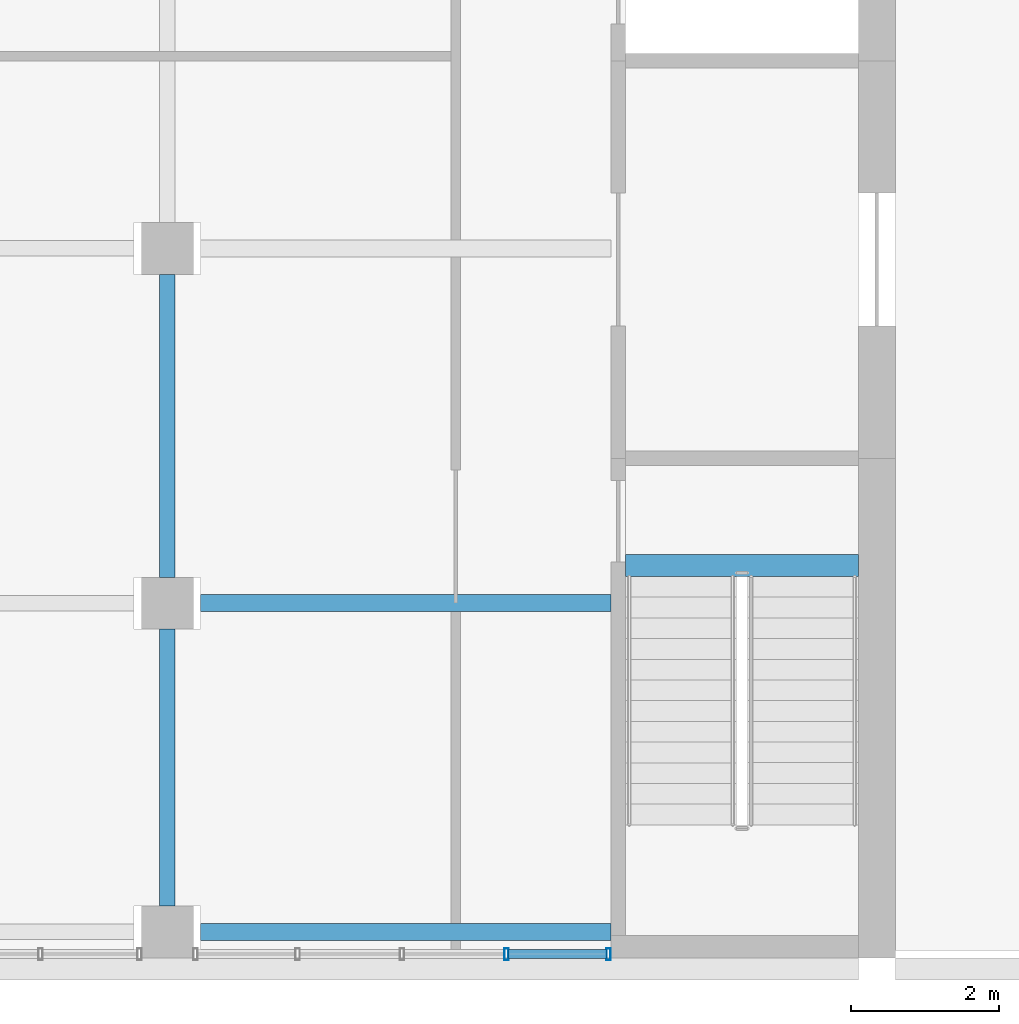
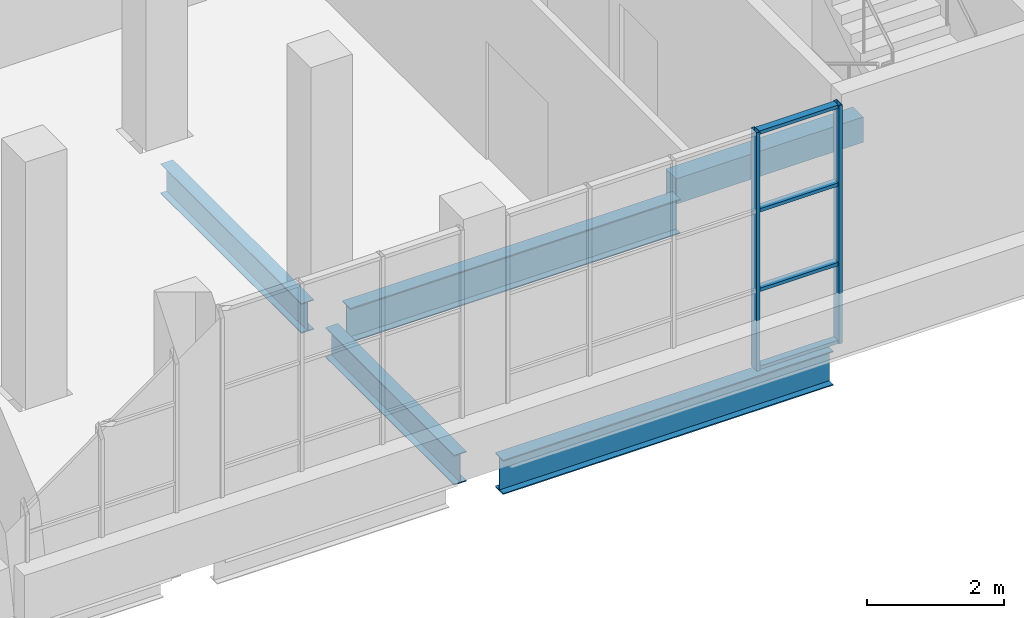
# One storey, part 4 of 32: 6 members, 5 beams, 1 element without a shape of its own.
"""IFC4 building model written with IfcOpenShell, lengths in metres."""

from ifc_helpers import new_model, si_unit, direction, frame, origin, origin_2d, place, context, subcontext, project, spatial, rectangle, hollow_rectangle, i_section, extrude, material, layer, layer_set, material_profile, profile_set, type_object, element, aggregate, save


model = new_model("IFC4")

# Units and contexts
model_context = context("Model", 3, precision=1e-05, world=origin(), true_north=direction((0.0, 1.0)))
body_context = subcontext(model_context, "Body", "Model", "MODEL_VIEW")
ifc_project = project(units=[si_unit("LENGTHUNIT", "METRE"), si_unit("AREAUNIT", "SQUARE_METRE"), si_unit("VOLUMEUNIT", "CUBIC_METRE"), si_unit("PLANEANGLEUNIT", "RADIAN"), si_unit("MASSUNIT", "GRAM", prefix="KILO")], contexts=[model_context])

# Site, building, storey
site_placement = place(None, origin())
site = spatial("IfcSite", under=ifc_project, at=site_placement, CompositionType="ELEMENT")
building_placement = place(site_placement, origin())
building = spatial("IfcBuilding", under=site, at=building_placement, Name="Baori Bourse Tower", CompositionType="ELEMENT")
storey_placement = place(building_placement, frame((0.0, 0.0, 12.60009765625)))
storey = spatial("IfcBuildingStorey", under=building, at=storey_placement, Name="L01", CompositionType="ELEMENT", Elevation=12.60009765625)

# Beams
ifc_material_1 = material(Name="Concrete f'c 40 MPa", Category="concrete")
ifc_material_profile_1 = material_profile(ifc_material_1, rectangle(XDim=0.300048828125, YDim=0.449951171875, at=origin_2d()), Name="Stair trimmer beam 300x450")
ifc_profile_set_1 = profile_set([ifc_material_profile_1], Name="Concrete f'c 40 MPa")
beam_type_1 = type_object("IfcBeamType", Name="Stair trimmer beam 300x450", PredefinedType="BEAM", material=ifc_profile_set_1)
beam_1_placement = place(storey_placement, frame((-3.39990234375, -19.889892578125, -0.525146484375), z_axis=(1.0, 0.0, 0.0), x_axis=(0.0, 1.0, 0.0)))
element("IfcBeam", 1, at=beam_1_placement, inside=storey, type_object=beam_type_1, Name="wing/L01/Wtrimmer/002", PredefinedType="BEAM", context=body_context, shape_type="SweptSolid", body=[
    extrude(rectangle(XDim=0.300048828125, YDim=0.449951171875, at=origin_2d()), origin(), (0.0, 0.0, 1.0), 3.14990234375),
])
ifc_material_2 = material(Name="Steel A992 Gr 50", Category="steel")
ifc_material_profile_2 = material_profile(ifc_material_2, i_section(OverallWidth=0.209228515625, OverallDepth=0.533447265625, WebThickness=0.01025390625, FlangeThickness=0.015625, at=origin_2d()), Name="W21x62")
ifc_profile_set_2 = profile_set([ifc_material_profile_2], Name="Steel A992 Gr 50")
beam_type_2 = type_object("IfcBeamType", Name="Wing beam W21x62", PredefinedType="BEAM", material=ifc_profile_set_2)
beam_2_placement = place(storey_placement, frame((-9.60009765625, -24.5, -0.56689453125), z_axis=(0.0, 1.0, 0.0), x_axis=(-1.0, 0.0, 0.0)))
element("IfcBeam", 2, at=beam_2_placement, inside=storey, type_object=beam_type_2, Name="wing/L01/Wbeamy/006", PredefinedType="BEAM", context=body_context, shape_type="SweptSolid", body=[
    extrude(i_section(OverallWidth=0.209228515625, OverallDepth=0.533447265625, WebThickness=0.01025390625, FlangeThickness=0.015625, at=origin_2d()), origin(), (0.0, 0.0, 1.0), 3.75),
])
beam_3_placement = place(storey_placement, frame((-9.60009765625, -20.050048828125, -0.56689453125), z_axis=(0.0, 1.0, 0.0), x_axis=(-1.0, 0.0, 0.0)))
element("IfcBeam", 3, at=beam_3_placement, inside=storey, type_object=beam_type_2, Name="wing/L01/Wbeamy/007", PredefinedType="BEAM", context=body_context, shape_type="SweptSolid", body=[
    extrude(i_section(OverallWidth=0.209228515625, OverallDepth=0.533447265625, WebThickness=0.01025390625, FlangeThickness=0.015625, at=origin_2d()), origin(), (0.0, 0.0, 1.0), 4.10009765625),
])
ifc_material_3 = material(Name="Steel A992 Gr 50", Category="steel")
ifc_material_profile_3 = material_profile(ifc_material_3, i_section(OverallWidth=0.22900390625, OverallDepth=0.612060546875, WebThickness=0.011962890625, FlangeThickness=0.01953125, at=origin_2d()), Name="W24x84")
ifc_profile_set_3 = profile_set([ifc_material_profile_3], Name="Steel A992 Gr 50")
beam_type_3 = type_object("IfcBeamType", Name="Wing beam W24x84", PredefinedType="BEAM", material=ifc_profile_set_3)
for number, where, z_axis, x_axis, name in (
    (4, (-9.14990234375, -24.85009765625, -0.606201171875), (1.0, 0.0, 0.0), (0.0, 1.0, 0.0), "wing/L01/Wbeam/003"),
    (5, (-9.14990234375, -20.39990234375, -0.606201171875), (1.0, 0.0, 0.0), (0.0, 1.0, 0.0), "wing/L01/Wbeam/006"),
):
    element("IfcBeam", number, at=place(storey_placement, frame(where, z_axis=z_axis, x_axis=x_axis)), inside=storey, type_object=beam_type_3, Name=name, PredefinedType="BEAM", context=body_context, shape_type="SweptSolid", body=[
        extrude(i_section(OverallWidth=0.22900390625, OverallDepth=0.612060546875, WebThickness=0.011962890625, FlangeThickness=0.01953125, at=origin_2d()), origin(), (0.0, 0.0, 1.0), 5.5498046875),
    ])

# Curtain wall, members
ifc_material_4 = material(Name="Pale anodised aluminium", Category="aluminium")
ifc_layer = layer(ifc_material_4, 0.10009765625)
ifc_layer_set = layer_set([ifc_layer], Name="Wing curtain wall")
curtain_wall_type = type_object("IfcCurtainWallType", Name="Wing curtain wall", PredefinedType="NOTDEFINED", material=ifc_layer_set)
curtain_wall_placement = place(storey_placement, origin())
curtain_wall = element("IfcCurtainWall", 6, at=curtain_wall_placement, inside=storey, type_object=curtain_wall_type, Name="wing/L01/Wcw/003", PredefinedType="NOTDEFINED")
ifc_material_5 = material(Name="Pale anodised aluminium", Category="aluminium")
ifc_material_profile_4 = material_profile(ifc_material_5, hollow_rectangle(XDim=0.159912109375, YDim=0.06005859375, WallThickness=0.0048828125, at=origin_2d()), Name="Mullion 160x60x5")
ifc_profile_set_4 = profile_set([ifc_material_profile_4], Name="Pale anodised aluminium")
member_type_1 = type_object("IfcMemberType", Name="Wing mullion 60x160", PredefinedType="MULLION", material=ifc_profile_set_4)
member_1_placement = place(storey_placement, frame((-5.012451171875, -25.14990234375, 0.0), z_axis=(0.0, 0.0, 1.0), x_axis=(0.0, 1.0, 0.0)))
member_1 = element("IfcMember", 7, at=member_1_placement, type_object=member_type_1, Name="X12 mullion 4", PredefinedType="MULLION", context=body_context, shape_type="SweptSolid", body=[
    extrude(hollow_rectangle(XDim=0.159912109375, YDim=0.06005859375, WallThickness=0.0048828125, at=origin_2d()), origin(), (0.0, 0.0, 1.0), 4.239990234375),
])
member_2_placement = place(storey_placement, frame((-3.6298828125, -25.14990234375, 0.0), z_axis=(0.0, 0.0, 1.0), x_axis=(0.0, 1.0, 0.0)))
member_2 = element("IfcMember", 8, at=member_2_placement, type_object=member_type_1, Name="X12 mullion 5", PredefinedType="MULLION", context=body_context, shape_type="SweptSolid", body=[
    extrude(hollow_rectangle(XDim=0.159912109375, YDim=0.06005859375, WallThickness=0.0048828125, at=origin_2d()), origin(), (0.0, 0.0, 1.0), 4.239990234375),
])
ifc_material_6 = material(Name="Pale anodised aluminium", Category="aluminium")
ifc_material_profile_5 = material_profile(ifc_material_6, hollow_rectangle(XDim=0.1201171875, YDim=0.06005859375, WallThickness=0.0048828125, at=origin_2d()), Name="Transom 120x60x5")
ifc_profile_set_5 = profile_set([ifc_material_profile_5], Name="Pale anodised aluminium")
member_type_2 = type_object("IfcMemberType", Name="Wing transom 120x60", PredefinedType="USERDEFINED", material=ifc_profile_set_5)
member_3_placement = place(storey_placement, frame((-4.982421875, -25.14990234375, 0.02978515625), z_axis=(1.0, 0.0, 0.0), x_axis=(0.0, 1.0, 0.0)))
member_3 = element("IfcMember", 9, at=member_3_placement, type_object=member_type_2, Name="X12 transom 4.1", ObjectType="TRANSOM", PredefinedType="USERDEFINED", context=body_context, shape_type="SweptSolid", body=[
    extrude(hollow_rectangle(XDim=0.1201171875, YDim=0.06005859375, WallThickness=0.0048828125, at=origin_2d()), origin(), (0.0, 0.0, 1.0), 1.322509765625),
])
member_4_placement = place(storey_placement, frame((-4.982421875, -25.14990234375, 1.413330078125), z_axis=(1.0, 0.0, 0.0), x_axis=(0.0, 1.0, 0.0)))
member_4 = element("IfcMember", 10, at=member_4_placement, type_object=member_type_2, Name="X12 transom 4.2", ObjectType="TRANSOM", PredefinedType="USERDEFINED", context=body_context, shape_type="SweptSolid", body=[
    extrude(hollow_rectangle(XDim=0.1201171875, YDim=0.06005859375, WallThickness=0.0048828125, at=origin_2d()), origin(), (0.0, 0.0, 1.0), 1.322509765625),
])
member_5_placement = place(storey_placement, frame((-4.982421875, -25.14990234375, 2.82666015625), z_axis=(1.0, 0.0, 0.0), x_axis=(0.0, 1.0, 0.0)))
member_5 = element("IfcMember", 11, at=member_5_placement, type_object=member_type_2, Name="X12 transom 4.3", ObjectType="TRANSOM", PredefinedType="USERDEFINED", context=body_context, shape_type="SweptSolid", body=[
    extrude(hollow_rectangle(XDim=0.1201171875, YDim=0.06005859375, WallThickness=0.0048828125, at=origin_2d()), origin(), (0.0, 0.0, 1.0), 1.322509765625),
])
member_6_placement = place(storey_placement, frame((-4.982421875, -25.14990234375, 4.2099609375), z_axis=(1.0, 0.0, 0.0), x_axis=(0.0, 1.0, 0.0)))
member_6 = element("IfcMember", 12, at=member_6_placement, type_object=member_type_2, Name="X12 transom 4.4", ObjectType="TRANSOM", PredefinedType="USERDEFINED", context=body_context, shape_type="SweptSolid", body=[
    extrude(hollow_rectangle(XDim=0.1201171875, YDim=0.06005859375, WallThickness=0.0048828125, at=origin_2d()), origin(), (0.0, 0.0, 1.0), 1.322509765625),
])
aggregate(curtain_wall, [member_1, member_2, member_3, member_4, member_5, member_6])

save(model, "model.ifc")
